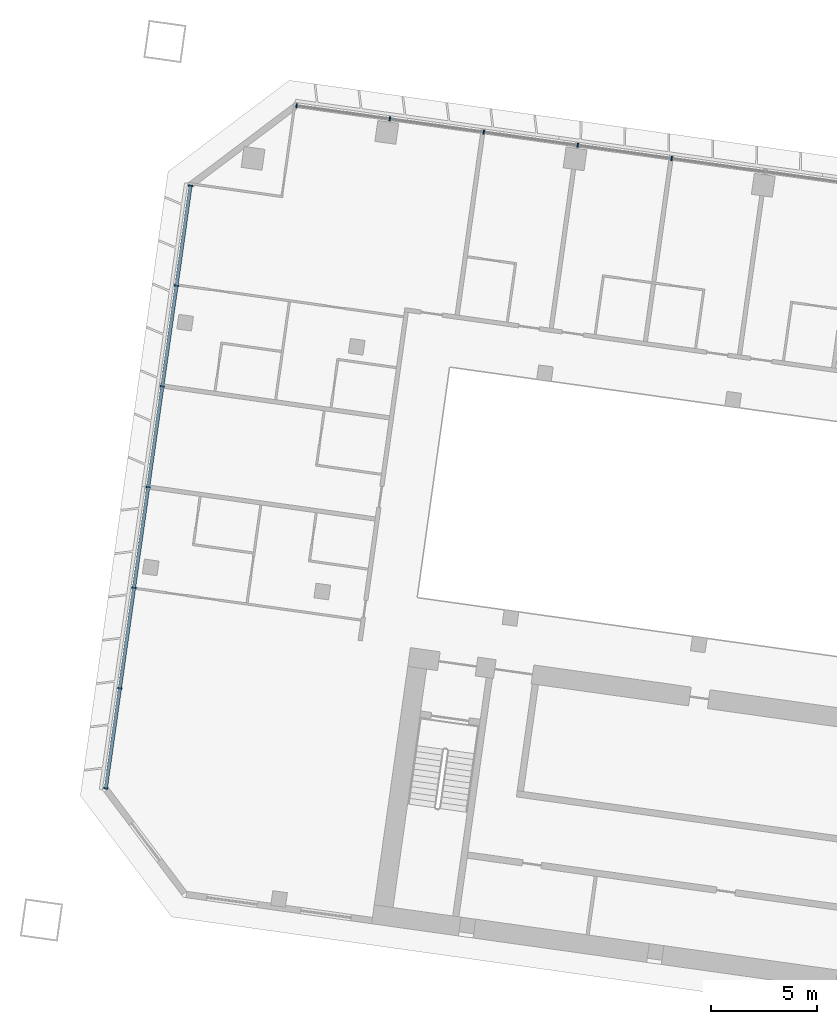
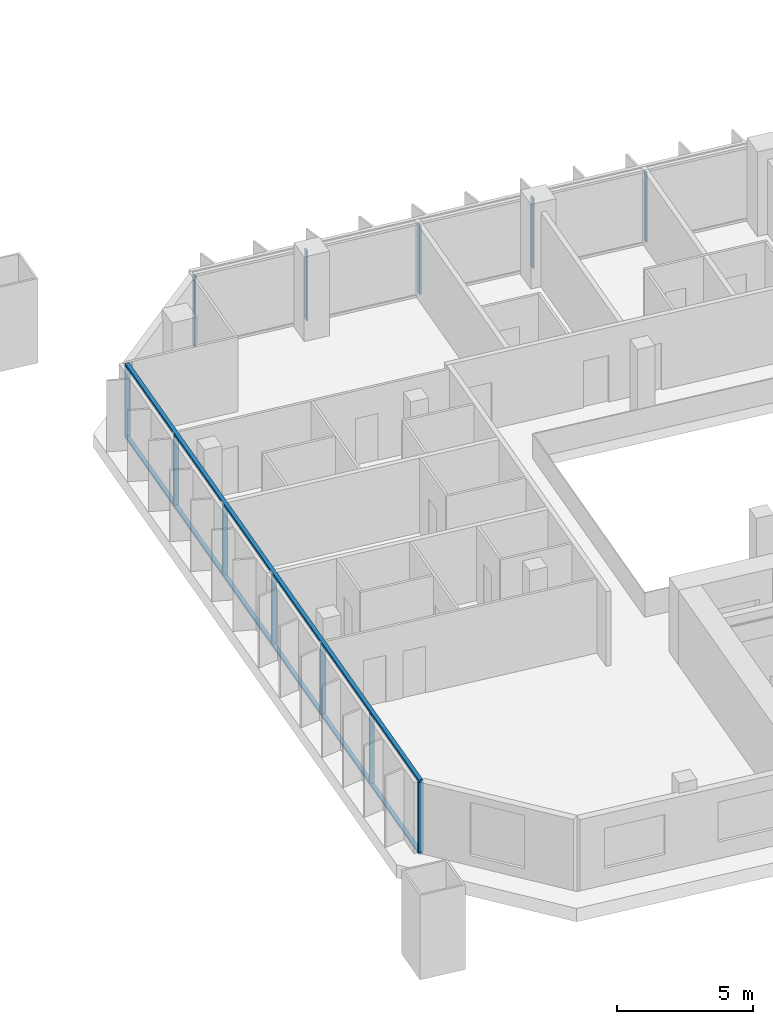
# One storey, part 2 of 25: 14 members, 2 elements without a shape of their own.
"""IFC4 building model written with IfcOpenShell, lengths in metres."""

from ifc_helpers import new_model, si_unit, direction, frame, origin, origin_2d, place, context, subcontext, project, spatial, rectangle, extrude, material, material_profile, profile_set, type_object, element, aggregate, save


model = new_model("IFC4")

# Units and contexts
model_context = context("Model", 3, precision=1e-05, world=origin(), true_north=direction((0.0, 1.0)))
body_context = subcontext(model_context, "Body", "Model", "MODEL_VIEW")
ifc_project = project(units=[si_unit("LENGTHUNIT", "METRE"), si_unit("AREAUNIT", "SQUARE_METRE"), si_unit("VOLUMEUNIT", "CUBIC_METRE"), si_unit("PLANEANGLEUNIT", "RADIAN"), si_unit("MASSUNIT", "GRAM", prefix="KILO")], contexts=[model_context])

# Site, building, storey
site_placement = place(None, origin())
site = spatial("IfcSite", under=ifc_project, at=site_placement, CompositionType="ELEMENT")
building_placement = place(site_placement, origin())
building = spatial("IfcBuilding", under=site, at=building_placement, Name="Mirante Cascada Hotel Towers", CompositionType="ELEMENT")
storey_placement = place(building_placement, frame((0.0, 0.0, 73.7)))
storey = spatial("IfcBuildingStorey", under=building, at=storey_placement, Name="L15", CompositionType="ELEMENT", Elevation=73.7)

# Curtain wall, members
ifc_material_1 = material(Name="Aluminium mullion and transom frame with clear laminated glass", Category="aluminium")
curtain_wall_type_1 = type_object("IfcCurtainWallType", Name="Ribbon curtain wall ECW1", PredefinedType="NOTDEFINED", material=ifc_material_1)
curtain_wall_1_placement = place(storey_placement, origin())
curtain_wall_1 = element("IfcCurtainWall", 1, at=curtain_wall_1_placement, inside=storey, type_object=curtain_wall_type_1, Name="Front ribbon wall T1 L15", PredefinedType="NOTDEFINED")
ifc_material_2 = material(Name="Anodised aluminium extrusion", Category="aluminium")
ifc_material_profile_1 = material_profile(ifc_material_2, rectangle(XDim=0.2, YDim=0.065, at=origin_2d()), Name="ECW1 MULLION 65x200")
ifc_profile_set_1 = profile_set([ifc_material_profile_1], Name="Anodised aluminium extrusion")
member_type_1 = type_object("IfcMemberType", Name="ECW1 mullion 65x200", PredefinedType="MULLION", material=ifc_profile_set_1)
member_1_placement = place(storey_placement, frame((-94.126, 26.0476, 0.1), z_axis=(0.0, 0.0, 1.0), x_axis=(0.1391731, 0.9902681, 0.0)))
member_1 = element("IfcMember", 2, at=member_1_placement, type_object=member_type_1, Name="ECW1 mullion 1", PredefinedType="MULLION", context=body_context, shape_type="SweptSolid", body=[
    extrude(rectangle(XDim=0.2, YDim=0.065, at=origin_2d()), origin(), (0.0, 0.0, 1.0), 3.15),
])
member_2_placement = place(storey_placement, frame((-89.7107, 25.427, 0.1), z_axis=(0.0, 0.0, 1.0), x_axis=(0.1391731, 0.9902681, 0.0)))
member_2 = element("IfcMember", 3, at=member_2_placement, type_object=member_type_1, Name="ECW1 mullion 2", PredefinedType="MULLION", context=body_context, shape_type="SweptSolid", body=[
    extrude(rectangle(XDim=0.2, YDim=0.065, at=origin_2d()), origin(), (0.0, 0.0, 1.0), 3.15),
])
member_3_placement = place(storey_placement, frame((-85.2633, 24.802, 0.1), z_axis=(0.0, 0.0, 1.0), x_axis=(0.1391731, 0.9902681, 0.0)))
member_3 = element("IfcMember", 4, at=member_3_placement, type_object=member_type_1, Name="ECW1 mullion 3", PredefinedType="MULLION", context=body_context, shape_type="SweptSolid", body=[
    extrude(rectangle(XDim=0.2, YDim=0.065, at=origin_2d()), origin(), (0.0, 0.0, 1.0), 3.15),
])
member_4_placement = place(storey_placement, frame((-80.8159, 24.177, 0.1), z_axis=(0.0, 0.0, 1.0), x_axis=(0.1391731, 0.9902681, 0.0)))
member_4 = element("IfcMember", 5, at=member_4_placement, type_object=member_type_1, Name="ECW1 mullion 4", PredefinedType="MULLION", context=body_context, shape_type="SweptSolid", body=[
    extrude(rectangle(XDim=0.2, YDim=0.065, at=origin_2d()), origin(), (0.0, 0.0, 1.0), 3.15),
])
member_5_placement = place(storey_placement, frame((-76.3685, 23.5519, 0.1), z_axis=(0.0, 0.0, 1.0), x_axis=(0.1391731, 0.9902681, 0.0)))
member_5 = element("IfcMember", 6, at=member_5_placement, type_object=member_type_1, Name="ECW1 mullion 5", PredefinedType="MULLION", context=body_context, shape_type="SweptSolid", body=[
    extrude(rectangle(XDim=0.2, YDim=0.065, at=origin_2d()), origin(), (0.0, 0.0, 1.0), 3.15),
])
aggregate(curtain_wall_1, [member_1, member_2, member_3, member_4, member_5])

ifc_material_3 = material(Name="Aluminium mullion and transom frame with clear laminated glass", Category="aluminium")
curtain_wall_type_2 = type_object("IfcCurtainWallType", Name="End ribbon curtain wall ECW2", PredefinedType="NOTDEFINED", material=ifc_material_3)
curtain_wall_2_placement = place(storey_placement, origin())
curtain_wall_2 = element("IfcCurtainWall", 7, at=curtain_wall_2_placement, inside=storey, type_object=curtain_wall_type_2, Name="Outer end wall T1 L15", PredefinedType="NOTDEFINED")
ifc_material_4 = material(Name="Anodised aluminium extrusion", Category="aluminium")
ifc_material_profile_2 = material_profile(ifc_material_4, rectangle(XDim=0.2, YDim=0.065, at=origin_2d()), Name="ECW2 MULLION 65x200")
ifc_profile_set_2 = profile_set([ifc_material_profile_2], Name="Anodised aluminium extrusion")
member_type_2 = type_object("IfcMemberType", Name="ECW2 mullion 65x200", PredefinedType="MULLION", material=ifc_profile_set_2)
member_6_placement = place(storey_placement, frame((-103.1556, -6.2656, 0.1), z_axis=(0.0, 0.0, 1.0), x_axis=(-0.9902681, 0.1391731, 0.0)))
member_6 = element("IfcMember", 8, at=member_6_placement, type_object=member_type_2, Name="ECW2 mullion 1", PredefinedType="MULLION", context=body_context, shape_type="SweptSolid", body=[
    extrude(rectangle(XDim=0.2, YDim=0.065, at=origin_2d()), origin(), (0.0, 0.0, 1.0), 3.15),
])
member_7_placement = place(storey_placement, frame((-102.4903, -1.532, 0.1), z_axis=(0.0, 0.0, 1.0), x_axis=(-0.9902681, 0.1391731, 0.0)))
member_7 = element("IfcMember", 9, at=member_7_placement, type_object=member_type_2, Name="ECW2 mullion 2", PredefinedType="MULLION", context=body_context, shape_type="SweptSolid", body=[
    extrude(rectangle(XDim=0.2, YDim=0.065, at=origin_2d()), origin(), (0.0, 0.0, 1.0), 3.15),
])
member_8_placement = place(storey_placement, frame((-101.8205, 3.2338, 0.1), z_axis=(0.0, 0.0, 1.0), x_axis=(-0.9902681, 0.1391731, 0.0)))
member_8 = element("IfcMember", 10, at=member_8_placement, type_object=member_type_2, Name="ECW2 mullion 3", PredefinedType="MULLION", context=body_context, shape_type="SweptSolid", body=[
    extrude(rectangle(XDim=0.2, YDim=0.065, at=origin_2d()), origin(), (0.0, 0.0, 1.0), 3.15),
])
member_9_placement = place(storey_placement, frame((-101.1508, 7.9996, 0.1), z_axis=(0.0, 0.0, 1.0), x_axis=(-0.9902681, 0.1391731, 0.0)))
member_9 = element("IfcMember", 11, at=member_9_placement, type_object=member_type_2, Name="ECW2 mullion 4", PredefinedType="MULLION", context=body_context, shape_type="SweptSolid", body=[
    extrude(rectangle(XDim=0.2, YDim=0.065, at=origin_2d()), origin(), (0.0, 0.0, 1.0), 3.15),
])
member_10_placement = place(storey_placement, frame((-100.481, 12.7654, 0.1), z_axis=(0.0, 0.0, 1.0), x_axis=(-0.9902681, 0.1391731, 0.0)))
member_10 = element("IfcMember", 12, at=member_10_placement, type_object=member_type_2, Name="ECW2 mullion 5", PredefinedType="MULLION", context=body_context, shape_type="SweptSolid", body=[
    extrude(rectangle(XDim=0.2, YDim=0.065, at=origin_2d()), origin(), (0.0, 0.0, 1.0), 3.15),
])
member_11_placement = place(storey_placement, frame((-99.8112, 17.5312, 0.1), z_axis=(0.0, 0.0, 1.0), x_axis=(-0.9902681, 0.1391731, 0.0)))
member_11 = element("IfcMember", 13, at=member_11_placement, type_object=member_type_2, Name="ECW2 mullion 6", PredefinedType="MULLION", context=body_context, shape_type="SweptSolid", body=[
    extrude(rectangle(XDim=0.2, YDim=0.065, at=origin_2d()), origin(), (0.0, 0.0, 1.0), 3.15),
])
member_12_placement = place(storey_placement, frame((-99.1459, 22.2648, 0.1), z_axis=(0.0, 0.0, 1.0), x_axis=(-0.9902681, 0.1391731, 0.0)))
member_12 = element("IfcMember", 14, at=member_12_placement, type_object=member_type_2, Name="ECW2 mullion 7", PredefinedType="MULLION", context=body_context, shape_type="SweptSolid", body=[
    extrude(rectangle(XDim=0.2, YDim=0.065, at=origin_2d()), origin(), (0.0, 0.0, 1.0), 3.15),
])
ifc_material_5 = material(Name="Anodised aluminium extrusion", Category="aluminium")
ifc_material_profile_3 = material_profile(ifc_material_5, rectangle(XDim=0.16, YDim=0.1, at=origin_2d()), Name="ECW2 TRANSOM 100x160")
ifc_profile_set_3 = profile_set([ifc_material_profile_3], Name="Anodised aluminium extrusion")
member_type_3 = type_object("IfcMemberType", Name="ECW2 transom 100x160", PredefinedType="USERDEFINED", material=ifc_profile_set_3)
member_13_placement = place(storey_placement, frame((-103.1601, -6.2978, 0.05), z_axis=(0.1391723, 0.9902682, 0.0), x_axis=(-0.9902682, 0.1391723, 0.0)))
member_13 = element("IfcMember", 15, at=member_13_placement, type_object=member_type_3, Name="ECW2 sill transom", ObjectType="TRANSOM", PredefinedType="USERDEFINED", context=body_context, shape_type="SweptSolid", body=[
    extrude(rectangle(XDim=0.16, YDim=0.1, at=origin_2d()), origin(), (0.0, 0.0, 1.0), 28.8757),
])
member_14_placement = place(storey_placement, frame((-103.1601, -6.2978, 3.3), z_axis=(0.1391723, 0.9902682, 0.0), x_axis=(-0.9902682, 0.1391723, 0.0)))
member_14 = element("IfcMember", 16, at=member_14_placement, type_object=member_type_3, Name="ECW2 head transom", ObjectType="TRANSOM", PredefinedType="USERDEFINED", context=body_context, shape_type="SweptSolid", body=[
    extrude(rectangle(XDim=0.16, YDim=0.1, at=origin_2d()), origin(), (0.0, 0.0, 1.0), 28.8757),
])
aggregate(curtain_wall_2, [member_13, member_14, member_6, member_7, member_8, member_9, member_10, member_11, member_12])

save(model, "model.ifc")
